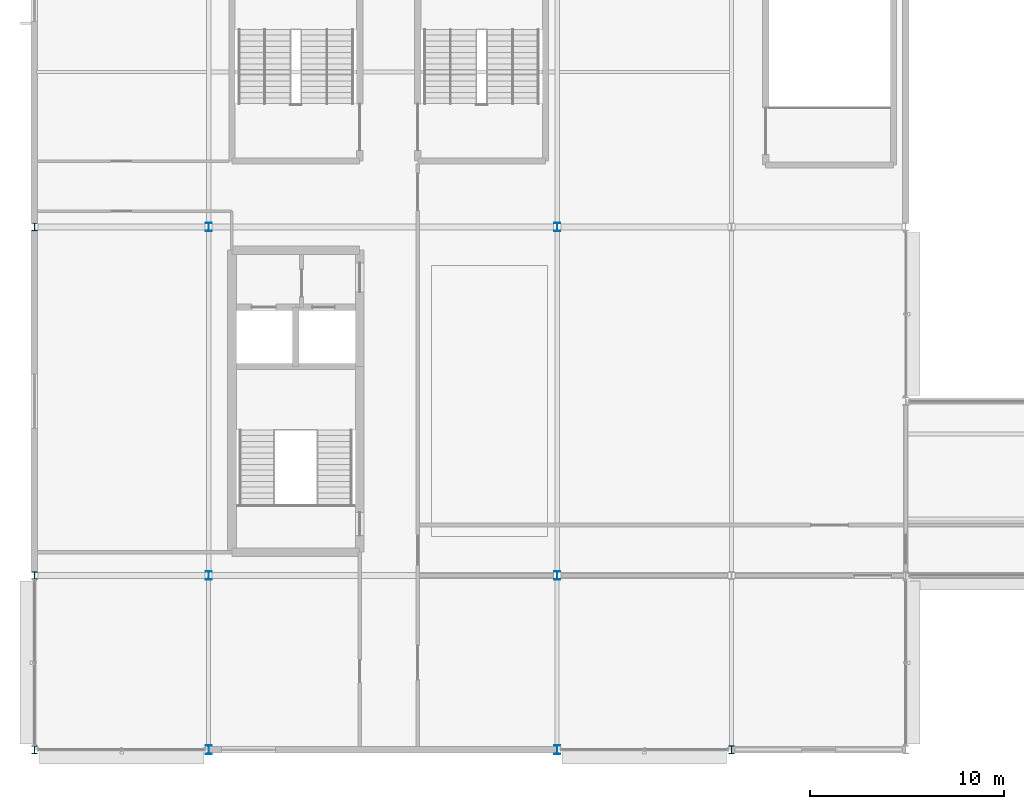
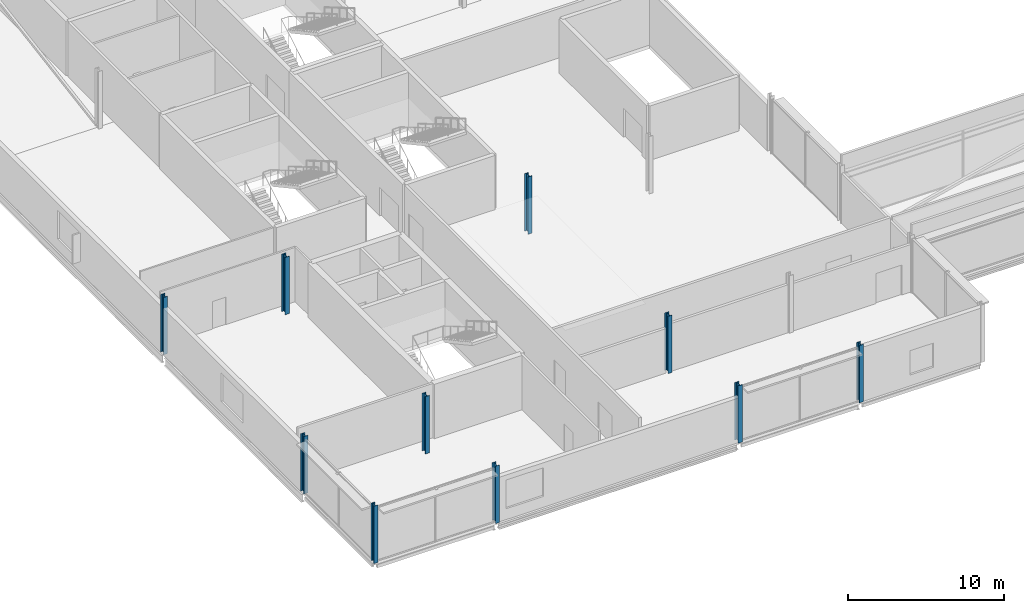
# One storey, part 1 of 73: 10 columns.
"""IFC4 building model written with IfcOpenShell, lengths in metres."""

from ifc_helpers import new_model, si_unit, direction, frame, origin, origin_2d, place, context, subcontext, project, spatial, i_section, extrude, material, material_profile, profile_set, type_object, element, save


model = new_model("IFC4")

# Units and contexts
model_context = context("Model", 3, precision=1e-05, world=origin(), true_north=direction((0.0, 1.0)))
body_context = subcontext(model_context, "Body", "Model", "MODEL_VIEW")
ifc_project = project(units=[si_unit("LENGTHUNIT", "METRE"), si_unit("AREAUNIT", "SQUARE_METRE"), si_unit("VOLUMEUNIT", "CUBIC_METRE"), si_unit("PLANEANGLEUNIT", "RADIAN"), si_unit("MASSUNIT", "GRAM", prefix="KILO")], contexts=[model_context])

# Site, building, storey
site_placement = place(None, origin())
site = spatial("IfcSite", under=ifc_project, at=site_placement, CompositionType="ELEMENT")
building_placement = place(site_placement, origin())
building = spatial("IfcBuilding", under=site, at=building_placement, Name="Kisiwana Market Hall", CompositionType="ELEMENT")
storey_placement = place(building_placement, frame((0.0, 0.0, 33.300048828125)))
storey = spatial("IfcBuildingStorey", under=building, at=storey_placement, Name="L07", CompositionType="ELEMENT", Elevation=33.300048828125)

# Columns
ifc_material_1 = material(Name="Steel S355", Category="steel")
ifc_material_profile_1 = material_profile(ifc_material_1, i_section(OverallWidth=0.300048828125, OverallDepth=0.39990234375, WebThickness=0.013427734375, FlangeThickness=0.02392578125, FilletRadius=0.027099609375, at=origin_2d()), Name="HEB 400")
ifc_profile_set_1 = profile_set([ifc_material_profile_1], Name="Steel S355")
column_type_1 = type_object("IfcColumnType", Name="COL-STL-HEB400", PredefinedType="COLUMN", material=ifc_profile_set_1)
for number, where, z_axis, x_axis, name in (
    (1, (0.0, 9.0, 0.0), (0.0, 0.0, 1.0), (1.0, 0.0, 0.0), "Column B/1 (L07) C-1070"),
    (2, (0.0, 18.0, 0.0), (0.0, 0.0, 1.0), (1.0, 0.0, 0.0), "Column C/1 (L07) C-1071"),
    (3, (0.0, 36.0, 0.0), (0.0, 0.0, 1.0), (1.0, 0.0, 0.0), "Column E/1 (L07) C-1072"),
    (4, (36.0, 9.0, 0.0), (0.0, 0.0, 1.0), (1.0, 0.0, 0.0), "Column B/5 (L07) C-1090"),
):
    element("IfcColumn", number, at=place(storey_placement, frame(where, z_axis=z_axis, x_axis=x_axis)), inside=storey, type_object=column_type_1, Name=name, PredefinedType="COLUMN", context=body_context, shape_type="SweptSolid", body=[
        extrude(i_section(OverallWidth=0.300048828125, OverallDepth=0.39990234375, WebThickness=0.013427734375, FlangeThickness=0.02392578125, FilletRadius=0.027099609375, at=origin_2d()), origin(), (0.0, 0.0, 1.0), 4.5),
    ])
ifc_material_2 = material(Name="Steel S355", Category="steel")
ifc_material_profile_2 = material_profile(ifc_material_2, i_section(OverallWidth=0.300048828125, OverallDepth=0.449951171875, WebThickness=0.013916015625, FlangeThickness=0.02587890625, FilletRadius=0.027099609375, at=origin_2d()), Name="HEB 450")
ifc_profile_set_2 = profile_set([ifc_material_profile_2], Name="Steel S355")
column_type_2 = type_object("IfcColumnType", Name="COL-STL-HEB450", PredefinedType="COLUMN", material=ifc_profile_set_2)
for number, where, z_axis, x_axis, name in (
    (5, (9.0, 9.0, 0.0), (0.0, 0.0, 1.0), (1.0, 0.0, 0.0), "Column B/2 (L07) C-1077"),
    (6, (9.0, 18.0, 0.0), (0.0, 0.0, 1.0), (1.0, 0.0, 0.0), "Column C/2 (L07) C-1078"),
    (7, (9.0, 36.0, 0.0), (0.0, 0.0, 1.0), (1.0, 0.0, 0.0), "Column E/2 (L07) C-1079"),
    (8, (27.0, 9.0, 0.0), (0.0, 0.0, 1.0), (1.0, 0.0, 0.0), "Column B/4 (L07) C-1083"),
    (9, (27.0, 18.0, 0.0), (0.0, 0.0, 1.0), (1.0, 0.0, 0.0), "Column C/4 (L07) C-1084"),
    (10, (27.0, 36.0, 0.0), (0.0, 0.0, 1.0), (1.0, 0.0, 0.0), "Column E/4 (L07) C-1085"),
):
    element("IfcColumn", number, at=place(storey_placement, frame(where, z_axis=z_axis, x_axis=x_axis)), inside=storey, type_object=column_type_2, Name=name, PredefinedType="COLUMN", context=body_context, shape_type="SweptSolid", body=[
        extrude(i_section(OverallWidth=0.300048828125, OverallDepth=0.449951171875, WebThickness=0.013916015625, FlangeThickness=0.02587890625, FilletRadius=0.027099609375, at=origin_2d()), origin(), (0.0, 0.0, 1.0), 4.5),
    ])

save(model, "model.ifc")
